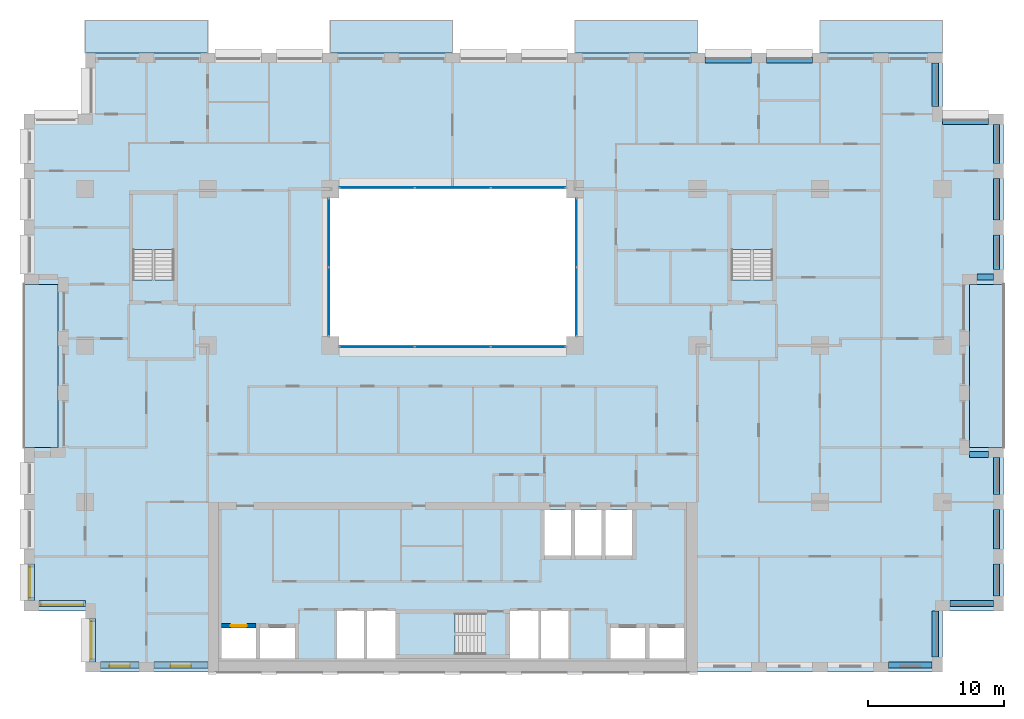
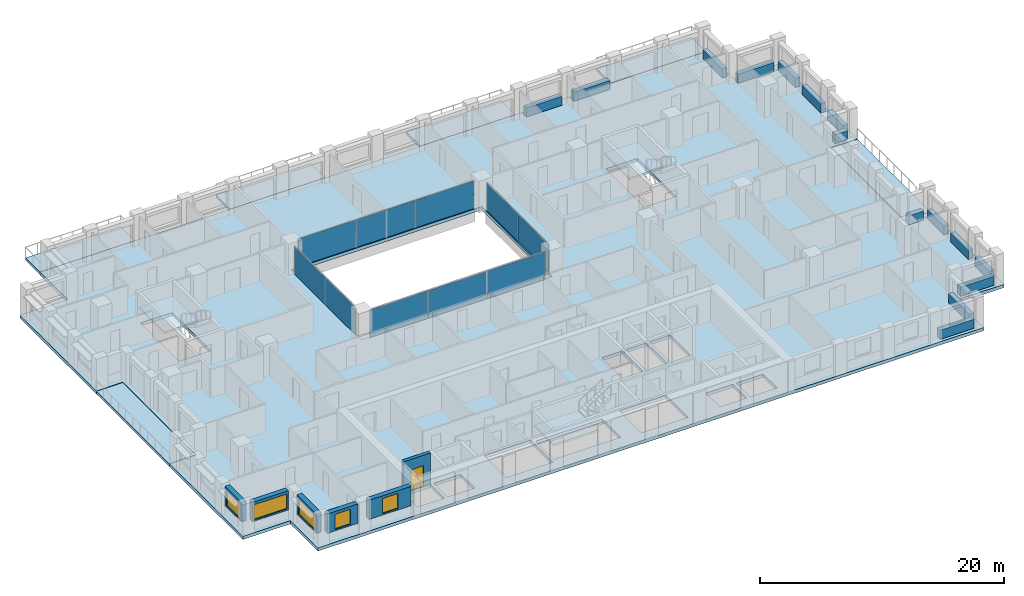
# One storey, part 7 of 16: 15 beams, 10 plates, 10 slabs, 6 walls, 5 windows, 1 door, 6 openings, 7 elements without a shape of their own.
"""IFC4 building model written with IfcOpenShell, lengths in metres."""

from ifc_helpers import new_model, si_unit, direction, frame, frame_2d, origin, origin_2d, place, context, subcontext, project, spatial, polyline, rectangle, outline, extrude, material, layer, layer_set, material_profile, profile_set, type_object, element, fill, aggregate, save


model = new_model("IFC4")

# Units and contexts
model_context = context("Model", 3, precision=1e-05, world=origin(), true_north=direction((0.0, 1.0)))
body_context = subcontext(model_context, "Body", "Model", "MODEL_VIEW")
ifc_project = project(units=[si_unit("LENGTHUNIT", "METRE"), si_unit("AREAUNIT", "SQUARE_METRE"), si_unit("VOLUMEUNIT", "CUBIC_METRE"), si_unit("PLANEANGLEUNIT", "RADIAN"), si_unit("MASSUNIT", "GRAM", prefix="KILO")], contexts=[model_context])

# Site, building, storey
site_placement = place(None, origin())
site = spatial("IfcSite", under=ifc_project, at=site_placement, CompositionType="ELEMENT")
building_placement = place(site_placement, origin())
building = spatial("IfcBuilding", under=site, at=building_placement, Name="Brigalow Station Residences", CompositionType="ELEMENT")
storey_placement = place(building_placement, frame((0.0, 0.0, 89.85009765625)))
storey = spatial("IfcBuildingStorey", under=building, at=storey_placement, Name="L25", CompositionType="ELEMENT", Elevation=89.85009765625)

# Beams
ifc_material_1 = material(Name="Concrete C65", Category="concrete")
ifc_material_profile = material_profile(ifc_material_1, rectangle(XDim=0.449951171875, YDim=0.89990234375, at=origin_2d()), Name="RC450x900")
ifc_profile_set = profile_set([ifc_material_profile], Name="Concrete C65")
beam_type = type_object("IfcBeamType", Name="SPANDREL BEAM 450x900 C65", PredefinedType="SPANDREL", material=ifc_profile_set)
beam_1_placement = place(storey_placement, frame((68.050048828125, 0.52490234375, 0.449951171875), z_axis=(1.0, 0.0, 0.0), x_axis=(0.0, 1.0, 0.0)))
element("IfcBeam", 1, at=beam_1_placement, inside=storey, type_object=beam_type, Name="L25/spandrel/W-L25-7", PredefinedType="SPANDREL", context=body_context, shape_type="SweptSolid", body=[
    extrude(rectangle(XDim=0.449951171875, YDim=0.89990234375, at=origin_2d()), origin(), (0.0, 0.0, 1.0), 3.199951171875),
])
beam_2_placement = place(storey_placement, frame((71.47509765625, 1.10009765625, 0.449951171875), z_axis=(0.0, 1.0, 0.0), x_axis=(-1.0, 0.0, 0.0)))
element("IfcBeam", 2, at=beam_2_placement, inside=storey, type_object=beam_type, Name="L25/spandrel/W-L25-8", PredefinedType="SPANDREL", context=body_context, shape_type="SweptSolid", body=[
    extrude(rectangle(XDim=0.449951171875, YDim=0.89990234375, at=origin_2d()), origin(), (0.0, 0.0, 1.0), 3.39990234375),
])
beam_3_placement = place(storey_placement, frame((72.550048828125, 5.02490234375, 0.449951171875), z_axis=(1.0, 0.0, 0.0), x_axis=(0.0, 1.0, 0.0)))
element("IfcBeam", 3, at=beam_3_placement, inside=storey, type_object=beam_type, Name="L25/spandrel/W-L25-9", PredefinedType="SPANDREL", context=body_context, shape_type="SweptSolid", body=[
    extrude(rectangle(XDim=0.449951171875, YDim=0.89990234375, at=origin_2d()), origin(), (0.0, 0.0, 1.0), 3.199951171875),
])
beam_4_placement = place(storey_placement, frame((75.97509765625, 5.60009765625, 0.449951171875), z_axis=(0.0, 1.0, 0.0), x_axis=(-1.0, 0.0, 0.0)))
element("IfcBeam", 4, at=beam_4_placement, inside=storey, type_object=beam_type, Name="L25/spandrel/W-L25-10", PredefinedType="SPANDREL", context=body_context, shape_type="SweptSolid", body=[
    extrude(rectangle(XDim=0.449951171875, YDim=0.89990234375, at=origin_2d()), origin(), (0.0, 0.0, 1.0), 2.349853515625),
])
beam_5_placement = place(storey_placement, frame((75.97509765625, 9.050048828125, 0.449951171875), z_axis=(0.0, 1.0, 0.0), x_axis=(-1.0, 0.0, 0.0)))
element("IfcBeam", 5, at=beam_5_placement, inside=storey, type_object=beam_type, Name="L25/spandrel/W-L25-11", PredefinedType="SPANDREL", context=body_context, shape_type="SweptSolid", body=[
    extrude(rectangle(XDim=0.449951171875, YDim=0.89990234375, at=origin_2d()), origin(), (0.0, 0.0, 1.0), 2.89990234375),
])
beam_6_placement = place(storey_placement, frame((75.97509765625, 13.050048828125, 0.449951171875), z_axis=(0.0, 1.0, 0.0), x_axis=(-1.0, 0.0, 0.0)))
element("IfcBeam", 6, at=beam_6_placement, inside=storey, type_object=beam_type, Name="L25/spandrel/W-L25-12", PredefinedType="SPANDREL", context=body_context, shape_type="SweptSolid", body=[
    extrude(rectangle(XDim=0.449951171875, YDim=0.89990234375, at=origin_2d()), origin(), (0.0, 0.0, 1.0), 2.699951171875),
])
beam_7_placement = place(storey_placement, frame((75.39990234375, 15.97509765625, 0.449951171875), z_axis=(-1.0, 0.0, 0.0), x_axis=(0.0, -1.0, 0.0)))
element("IfcBeam", 7, at=beam_7_placement, inside=storey, type_object=beam_type, Name="L25/spandrel/W-L25-13", PredefinedType="SPANDREL", context=body_context, shape_type="SweptSolid", body=[
    extrude(rectangle(XDim=0.449951171875, YDim=0.89990234375, at=origin_2d()), origin(), (0.0, 0.0, 1.0), 1.39990234375),
])
beam_8_placement = place(storey_placement, frame((74.550048828125, 29.02490234375, 0.449951171875), z_axis=(1.0, 0.0, 0.0), x_axis=(0.0, 1.0, 0.0)))
element("IfcBeam", 8, at=beam_8_placement, inside=storey, type_object=beam_type, Name="L25/spandrel/W-L25-17", PredefinedType="SPANDREL", context=body_context, shape_type="SweptSolid", body=[
    extrude(rectangle(XDim=0.449951171875, YDim=0.89990234375, at=origin_2d()), origin(), (0.0, 0.0, 1.0), 1.199951171875),
])
beam_9_placement = place(storey_placement, frame((75.97509765625, 29.60009765625, 0.449951171875), z_axis=(0.0, 1.0, 0.0), x_axis=(-1.0, 0.0, 0.0)))
element("IfcBeam", 9, at=beam_9_placement, inside=storey, type_object=beam_type, Name="L25/spandrel/W-L25-18", PredefinedType="SPANDREL", context=body_context, shape_type="SweptSolid", body=[
    extrude(rectangle(XDim=0.449951171875, YDim=0.89990234375, at=origin_2d()), origin(), (0.0, 0.0, 1.0), 2.516845703125),
])
beam_10_placement = place(storey_placement, frame((75.97509765625, 33.217041015625, 0.449951171875), z_axis=(0.0, 1.0, 0.0), x_axis=(-1.0, 0.0, 0.0)))
element("IfcBeam", 10, at=beam_10_placement, inside=storey, type_object=beam_type, Name="L25/spandrel/W-L25-19", PredefinedType="SPANDREL", context=body_context, shape_type="SweptSolid", body=[
    extrude(rectangle(XDim=0.449951171875, YDim=0.89990234375, at=origin_2d()), origin(), (0.0, 0.0, 1.0), 3.06591796875),
])
beam_11_placement = place(storey_placement, frame((75.97509765625, 37.383056640625, 0.449951171875), z_axis=(0.0, 1.0, 0.0), x_axis=(-1.0, 0.0, 0.0)))
element("IfcBeam", 11, at=beam_11_placement, inside=storey, type_object=beam_type, Name="L25/spandrel/W-L25-20", PredefinedType="SPANDREL", context=body_context, shape_type="SweptSolid", body=[
    extrude(rectangle(XDim=0.449951171875, YDim=0.89990234375, at=origin_2d()), origin(), (0.0, 0.0, 1.0), 2.866943359375),
])
beam_12_placement = place(storey_placement, frame((75.39990234375, 40.47509765625, 0.449951171875), z_axis=(-1.0, 0.0, 0.0), x_axis=(0.0, -1.0, 0.0)))
element("IfcBeam", 12, at=beam_12_placement, inside=storey, type_object=beam_type, Name="L25/spandrel/W-L25-21", PredefinedType="SPANDREL", context=body_context, shape_type="SweptSolid", body=[
    extrude(rectangle(XDim=0.449951171875, YDim=0.89990234375, at=origin_2d()), origin(), (0.0, 0.0, 1.0), 3.39990234375),
])
beam_13_placement = place(storey_placement, frame((71.47509765625, 41.550048828125, 0.449951171875), z_axis=(0.0, 1.0, 0.0), x_axis=(-1.0, 0.0, 0.0)))
element("IfcBeam", 13, at=beam_13_placement, inside=storey, type_object=beam_type, Name="L25/spandrel/W-L25-22", PredefinedType="SPANDREL", context=body_context, shape_type="SweptSolid", body=[
    extrude(rectangle(XDim=0.449951171875, YDim=0.89990234375, at=origin_2d()), origin(), (0.0, 0.0, 1.0), 3.199951171875),
])
for number, where, z_axis, x_axis, name in (
    (14, (62.449951171875, 44.97509765625, 0.449951171875), (-1.0, 0.0, 0.0), (0.0, -1.0, 0.0), "L25/spandrel/W-L25-25"),
    (15, (57.949951171875, 44.97509765625, 0.449951171875), (-1.0, 0.0, 0.0), (0.0, -1.0, 0.0), "L25/spandrel/W-L25-26"),
):
    element("IfcBeam", number, at=place(storey_placement, frame(where, z_axis=z_axis, x_axis=x_axis)), inside=storey, type_object=beam_type, Name=name, PredefinedType="SPANDREL", context=body_context, shape_type="SweptSolid", body=[
        extrude(rectangle(XDim=0.449951171875, YDim=0.89990234375, at=origin_2d()), origin(), (0.0, 0.0, 1.0), 3.39990234375),
    ])

# Curtain wall, plates
ifc_material_2 = material(Name="Aluminium", Category="aluminium")
ifc_layer_1 = layer(ifc_material_2, 0.14990234375)
ifc_layer_set_1 = layer_set([ifc_layer_1], Name="ATRIUM FIRE-RATED GLAZING CURTAIN WALL")
curtain_wall_type = type_object("IfcCurtainWallType", Name="ATRIUM FIRE-RATED GLAZING CURTAIN WALL", PredefinedType="NOTDEFINED", material=ifc_layer_set_1)
curtain_wall_1_placement = place(storey_placement, origin())
curtain_wall_1 = element("IfcCurtainWall", 16, at=curtain_wall_1_placement, inside=storey, type_object=curtain_wall_type, Name="L25/cw/atrium-S", PredefinedType="NOTDEFINED")
ifc_material_3 = material(Name="Fire-resisting laminated glazing, FRL -/60/-", Category="glass")
ifc_layer_2 = layer(ifc_material_3, 0.031982421875)
ifc_layer_set_2 = layer_set([ifc_layer_2], Name="ATRIUM FIRE-RATED GLAZING PANEL 32")
plate_type = type_object("IfcPlateType", Name="ATRIUM FIRE-RATED GLAZING PANEL 32", PredefinedType="CURTAIN_PANEL", material=ifc_layer_set_2)
plate_1_placement = place(storey_placement, frame((30.4482421875, 23.89990234375, 0.0), z_axis=(0.0, 0.0, 1.0), x_axis=(1.0, 0.0, 0.0)))
plate_1 = element("IfcPlate", 17, at=plate_1_placement, type_object=plate_type, Name="L25/cw/atrium-S/P00-00", PredefinedType="CURTAIN_PANEL", context=body_context, shape_type="SweptSolid", body=[
    extrude(rectangle(XDim=5.476806640625, YDim=0.031982421875, at=origin_2d()), origin(), (0.0, 0.0, 1.0), 2.77001953125),
])
plate_2_placement = place(storey_placement, frame((36.0, 23.89990234375, 0.0), z_axis=(0.0, 0.0, 1.0), x_axis=(1.0, 0.0, 0.0)))
plate_2 = element("IfcPlate", 18, at=plate_2_placement, type_object=plate_type, Name="L25/cw/atrium-S/P01-00", PredefinedType="CURTAIN_PANEL", context=body_context, shape_type="SweptSolid", body=[
    extrude(rectangle(XDim=5.506591796875, YDim=0.031982421875, at=origin_2d()), origin(), (0.0, 0.0, 1.0), 2.77001953125),
])
plate_3_placement = place(storey_placement, frame((41.5517578125, 23.89990234375, 0.0), z_axis=(0.0, 0.0, 1.0), x_axis=(1.0, 0.0, 0.0)))
plate_3 = element("IfcPlate", 19, at=plate_3_placement, type_object=plate_type, Name="L25/cw/atrium-S/P02-00", PredefinedType="CURTAIN_PANEL", context=body_context, shape_type="SweptSolid", body=[
    extrude(rectangle(XDim=5.476806640625, YDim=0.031982421875, at=origin_2d()), origin(), (0.0, 0.0, 1.0), 2.77001953125),
])
aggregate(curtain_wall_1, [plate_1, plate_2, plate_3])

curtain_wall_2_placement = place(storey_placement, origin())
curtain_wall_2 = element("IfcCurtainWall", 20, at=curtain_wall_2_placement, inside=storey, type_object=curtain_wall_type, Name="L25/cw/atrium-E", PredefinedType="NOTDEFINED")
plate_4_placement = place(storey_placement, frame((45.10009765625, 27.215087890625, 0.0), z_axis=(0.0, 0.0, 1.0), x_axis=(0.0, 1.0, 0.0)))
plate_4 = element("IfcPlate", 21, at=plate_4_placement, type_object=plate_type, Name="L25/cw/atrium-E/P00-00", PredefinedType="CURTAIN_PANEL", context=body_context, shape_type="SweptSolid", body=[
    extrude(rectangle(XDim=5.010009765625, YDim=0.031982421875, at=origin_2d()), origin(), (0.0, 0.0, 1.0), 2.77001953125),
])
plate_5_placement = place(storey_placement, frame((45.10009765625, 32.284912109375, 0.0), z_axis=(0.0, 0.0, 1.0), x_axis=(0.0, 1.0, 0.0)))
plate_5 = element("IfcPlate", 22, at=plate_5_placement, type_object=plate_type, Name="L25/cw/atrium-E/P01-00", PredefinedType="CURTAIN_PANEL", context=body_context, shape_type="SweptSolid", body=[
    extrude(rectangle(XDim=5.010009765625, YDim=0.031982421875, at=origin_2d()), origin(), (0.0, 0.0, 1.0), 2.77001953125),
])
aggregate(curtain_wall_2, [plate_4, plate_5])

curtain_wall_3_placement = place(storey_placement, origin())
curtain_wall_3 = element("IfcCurtainWall", 23, at=curtain_wall_3_placement, inside=storey, type_object=curtain_wall_type, Name="L25/cw/atrium-N", PredefinedType="NOTDEFINED")
plate_6_placement = place(storey_placement, frame((41.5517578125, 35.60009765625, 0.0), z_axis=(0.0, 0.0, 1.0), x_axis=(-1.0, 0.0, 0.0)))
plate_6 = element("IfcPlate", 24, at=plate_6_placement, type_object=plate_type, Name="L25/cw/atrium-N/P00-00", PredefinedType="CURTAIN_PANEL", context=body_context, shape_type="SweptSolid", body=[
    extrude(rectangle(XDim=5.476806640625, YDim=0.031982421875, at=origin_2d()), origin(), (0.0, 0.0, 1.0), 2.77001953125),
])
plate_7_placement = place(storey_placement, frame((36.0, 35.60009765625, 0.0), z_axis=(0.0, 0.0, 1.0), x_axis=(-1.0, 0.0, 0.0)))
plate_7 = element("IfcPlate", 25, at=plate_7_placement, type_object=plate_type, Name="L25/cw/atrium-N/P01-00", PredefinedType="CURTAIN_PANEL", context=body_context, shape_type="SweptSolid", body=[
    extrude(rectangle(XDim=5.506591796875, YDim=0.031982421875, at=origin_2d()), origin(), (0.0, 0.0, 1.0), 2.77001953125),
])
plate_8_placement = place(storey_placement, frame((30.4482421875, 35.60009765625, 0.0), z_axis=(0.0, 0.0, 1.0), x_axis=(-1.0, 0.0, 0.0)))
plate_8 = element("IfcPlate", 26, at=plate_8_placement, type_object=plate_type, Name="L25/cw/atrium-N/P02-00", PredefinedType="CURTAIN_PANEL", context=body_context, shape_type="SweptSolid", body=[
    extrude(rectangle(XDim=5.476806640625, YDim=0.031982421875, at=origin_2d()), origin(), (0.0, 0.0, 1.0), 2.77001953125),
])
aggregate(curtain_wall_3, [plate_6, plate_7, plate_8])

curtain_wall_4_placement = place(storey_placement, origin())
curtain_wall_4 = element("IfcCurtainWall", 27, at=curtain_wall_4_placement, inside=storey, type_object=curtain_wall_type, Name="L25/cw/atrium-W", PredefinedType="NOTDEFINED")
plate_9_placement = place(storey_placement, frame((26.89990234375, 32.284912109375, 0.0), z_axis=(0.0, 0.0, 1.0), x_axis=(0.0, -1.0, 0.0)))
plate_9 = element("IfcPlate", 28, at=plate_9_placement, type_object=plate_type, Name="L25/cw/atrium-W/P00-00", PredefinedType="CURTAIN_PANEL", context=body_context, shape_type="SweptSolid", body=[
    extrude(rectangle(XDim=5.010009765625, YDim=0.031982421875, at=origin_2d()), origin(), (0.0, 0.0, 1.0), 2.77001953125),
])
plate_10_placement = place(storey_placement, frame((26.89990234375, 27.215087890625, 0.0), z_axis=(0.0, 0.0, 1.0), x_axis=(0.0, -1.0, 0.0)))
plate_10 = element("IfcPlate", 29, at=plate_10_placement, type_object=plate_type, Name="L25/cw/atrium-W/P01-00", PredefinedType="CURTAIN_PANEL", context=body_context, shape_type="SweptSolid", body=[
    extrude(rectangle(XDim=5.010009765625, YDim=0.031982421875, at=origin_2d()), origin(), (0.0, 0.0, 1.0), 2.77001953125),
])
aggregate(curtain_wall_4, [plate_9, plate_10])

# Slabs
ifc_material_4 = material(Name="Concrete C50 precast", Category="concrete")
ifc_layer_3 = layer(ifc_material_4, 0.25)
ifc_layer_set_3 = layer_set([ifc_layer_3], Name="BALCONY SLAB 250")
slab_type_1 = type_object("IfcSlabType", Name="BALCONY SLAB 250", PredefinedType="USERDEFINED", material=ifc_layer_set_3)
slab_1_placement = place(storey_placement, frame((0.0, 0.0, -0.2900390625)))
element("IfcSlab", 30, at=slab_1_placement, inside=storey, type_object=slab_type_1, Name="L25/balcony/1", ObjectType="BALCONY", PredefinedType="USERDEFINED", context=body_context, shape_type="SweptSolid", body=[
    extrude(outline(polyline([(74.0, 16.5), (76.5, 16.5), (76.5, 28.5), (74.0, 28.5), (74.0, 16.5)])), origin(), (0.0, 0.0, 1.0), 0.25),
])
slab_2_placement = place(storey_placement, frame((0.0, 0.0, -0.2900390625)))
element("IfcSlab", 31, at=slab_2_placement, inside=storey, type_object=slab_type_1, Name="L25/balcony/2", ObjectType="BALCONY", PredefinedType="USERDEFINED", context=body_context, shape_type="SweptSolid", body=[
    extrude(outline(polyline([(72.0, 45.5), (72.0, 47.89990234375), (63.0, 47.89990234375), (63.0, 45.5), (72.0, 45.5)])), origin(), (0.0, 0.0, 1.0), 0.25),
])
slab_3_placement = place(storey_placement, frame((0.0, 0.0, -0.2900390625)))
element("IfcSlab", 32, at=slab_3_placement, inside=storey, type_object=slab_type_1, Name="L25/balcony/3", ObjectType="BALCONY", PredefinedType="USERDEFINED", context=body_context, shape_type="SweptSolid", body=[
    extrude(outline(polyline([(54.0, 45.5), (54.0, 47.89990234375), (45.0, 47.89990234375), (45.0, 45.5), (54.0, 45.5)])), origin(), (0.0, 0.0, 1.0), 0.25),
])
slab_4_placement = place(storey_placement, frame((0.0, 0.0, -0.2900390625)))
element("IfcSlab", 33, at=slab_4_placement, inside=storey, type_object=slab_type_1, Name="L25/balcony/4", ObjectType="BALCONY", PredefinedType="USERDEFINED", context=body_context, shape_type="SweptSolid", body=[
    extrude(outline(polyline([(36.0, 45.5), (36.0, 47.89990234375), (27.0, 47.89990234375), (27.0, 45.5), (36.0, 45.5)])), origin(), (0.0, 0.0, 1.0), 0.25),
])
slab_5_placement = place(storey_placement, frame((0.0, 0.0, -0.2900390625)))
element("IfcSlab", 34, at=slab_5_placement, inside=storey, type_object=slab_type_1, Name="L25/balcony/5", ObjectType="BALCONY", PredefinedType="USERDEFINED", context=body_context, shape_type="SweptSolid", body=[
    extrude(outline(polyline([(18.0, 45.5), (18.0, 47.89990234375), (9.0, 47.89990234375), (9.0, 45.5), (18.0, 45.5)])), origin(), (0.0, 0.0, 1.0), 0.25),
])
slab_6_placement = place(storey_placement, frame((0.0, 0.0, -0.2900390625)))
element("IfcSlab", 35, at=slab_6_placement, inside=storey, type_object=slab_type_1, Name="L25/balcony/6", ObjectType="BALCONY", PredefinedType="USERDEFINED", context=body_context, shape_type="SweptSolid", body=[
    extrude(outline(polyline([(7.0, 28.5), (4.5, 28.5), (4.5, 16.5), (7.0, 16.5), (7.0, 28.5)])), origin(), (0.0, 0.0, 1.0), 0.25),
])
ifc_material_5 = material(Name="Concrete C50", Category="concrete")
ifc_layer_4 = layer(ifc_material_5, 0.320068359375)
ifc_layer_set_4 = layer_set([ifc_layer_4], Name="POST-TENSIONED FLAT PLATE 320 C50")
slab_type_2 = type_object("IfcSlabType", Name="POST-TENSIONED FLAT PLATE 320 C50", PredefinedType="FLOOR", material=ifc_layer_set_4)
slab_7_placement = place(storey_placement, frame((0.0, 0.0, -0.320068359375)))
element("IfcSlab", 36, at=slab_7_placement, inside=storey, type_object=slab_type_2, Name="FLOOR SLAB L25", PredefinedType="FLOOR", context=body_context, shape_type="SweptSolid", body=[
    extrude(outline(polyline([(9.0, 0.0), (72.0, 0.0), (72.0, 4.5), (76.5, 4.5), (76.5, 16.5), (74.0, 16.5), (74.0, 28.5), (76.5, 28.5), (76.5, 41.0), (72.0, 41.0), (72.0, 45.5), (9.0, 45.5), (9.0, 41.0), (4.5, 41.0), (4.5, 28.5), (7.0, 28.5), (7.0, 16.5), (4.5, 16.5), (4.5, 4.5), (9.0, 4.5), (9.0, 0.0)]), holes=[polyline([(12.5048828125, 35.094970703125), (15.4951171875, 35.094970703125), (15.4951171875, 28.804931640625), (12.5048828125, 28.804931640625), (12.5048828125, 35.094970703125)]), polyline([(19.0, 1.0), (19.0, 3.25), (21.550048828125, 3.25), (21.550048828125, 1.0), (19.0, 1.0)]), polyline([(21.85009765625, 3.25), (24.39990234375, 3.25), (24.39990234375, 1.0), (21.85009765625, 1.0), (21.85009765625, 3.25)]), polyline([(27.0, 35.5), (45.0, 35.5), (45.0, 24.0), (27.0, 24.0), (27.0, 35.5)]), polyline([(29.60009765625, 4.60009765625), (31.800048828125, 4.60009765625), (31.800048828125, 1.0), (29.60009765625, 1.0), (27.39990234375, 1.0), (27.39990234375, 4.60009765625), (29.60009765625, 4.60009765625)]), polyline([(32.10498046875, 4.294921875), (38.39501953125, 4.294921875), (38.39501953125, 1.304931640625), (32.10498046875, 1.304931640625), (32.10498046875, 4.294921875)]), polyline([(40.199951171875, 4.60009765625), (42.39990234375, 4.60009765625), (44.60009765625, 4.60009765625), (44.60009765625, 1.0), (42.39990234375, 1.0), (40.199951171875, 1.0), (40.199951171875, 4.60009765625)]), polyline([(42.75, 11.89990234375), (44.699951171875, 11.89990234375), (44.699951171875, 8.550048828125), (42.75, 8.550048828125), (42.75, 11.89990234375)]), polyline([(45.0, 11.89990234375), (46.949951171875, 11.89990234375), (46.949951171875, 8.550048828125), (45.0, 8.550048828125), (45.0, 11.89990234375)]), polyline([(47.25, 11.89990234375), (49.199951171875, 11.89990234375), (49.199951171875, 8.550048828125), (47.25, 8.550048828125), (47.25, 11.89990234375)]), polyline([(47.60009765625, 3.25), (50.14990234375, 3.25), (50.14990234375, 1.0), (47.60009765625, 1.0), (47.60009765625, 3.25)]), polyline([(50.449951171875, 3.25), (53.0, 3.25), (53.0, 1.0), (50.449951171875, 1.0), (50.449951171875, 3.25)]), polyline([(56.5048828125, 35.094970703125), (59.4951171875, 35.094970703125), (59.4951171875, 28.804931640625), (56.5048828125, 28.804931640625), (56.5048828125, 35.094970703125)])]), origin(), (0.0, 0.0, 1.0), 0.320068359375),
])

# Stair, slab
ifc_material_6 = material(Name="Concrete C50", Category="concrete")
stair_type = type_object("IfcStairType", Name="EXIT STAIR 1400 2 FLIGHT", PredefinedType="HALF_TURN_STAIR", material=ifc_material_6)
stair_1_placement = place(storey_placement, origin())
stair_1 = element("IfcStair", 37, at=stair_1_placement, inside=storey, type_object=stair_type, Name="EXIT STAIR S2 L25", PredefinedType="HALF_TURN_STAIR")
ifc_material_7 = material(Name="Concrete C50", Category="concrete")
ifc_layer_5 = layer(ifc_material_7, 0.199951171875)
ifc_layer_set_5 = layer_set([ifc_layer_5], Name="STAIR LANDING 200")
slab_type_3 = type_object("IfcSlabType", Name="STAIR LANDING 200", PredefinedType="LANDING", material=ifc_layer_set_5)
slab_8_placement = place(storey_placement, frame((0.0, 0.0, 1.375)))
slab_8 = element("IfcSlab", 38, at=slab_8_placement, type_object=slab_type_3, Name="ST-2 landing 1", PredefinedType="LANDING", context=body_context, shape_type="SweptSolid", body=[
    extrude(outline(polyline([(32.0, 1.199951171875), (36.159912109375, 1.199951171875), (36.159912109375, 4.39990234375), (32.0, 4.39990234375), (32.0, 1.199951171875)])), origin(), (0.0, 0.0, 1.0), 0.199951171875),
])
aggregate(stair_1, [slab_8])

stair_2_placement = place(storey_placement, origin())
stair_2 = element("IfcStair", 39, at=stair_2_placement, inside=storey, type_object=stair_type, Name="EXIT STAIR S1 L25", PredefinedType="HALF_TURN_STAIR")
slab_9_placement = place(storey_placement, frame((0.0, 0.0, 1.375)))
slab_9 = element("IfcSlab", 40, at=slab_9_placement, type_object=slab_type_3, Name="ST-1 landing 1", PredefinedType="LANDING", context=body_context, shape_type="SweptSolid", body=[
    extrude(outline(polyline([(12.39990234375, 31.0400390625), (15.60009765625, 31.0400390625), (15.60009765625, 35.199951171875), (12.39990234375, 35.199951171875), (12.39990234375, 31.0400390625)])), origin(), (0.0, 0.0, 1.0), 0.199951171875),
])
aggregate(stair_2, [slab_9])

stair_3_placement = place(storey_placement, origin())
stair_3 = element("IfcStair", 41, at=stair_3_placement, inside=storey, type_object=stair_type, Name="EXIT STAIR S3 L25", PredefinedType="HALF_TURN_STAIR")
slab_10_placement = place(storey_placement, frame((0.0, 0.0, 1.375)))
slab_10 = element("IfcSlab", 42, at=slab_10_placement, type_object=slab_type_3, Name="ST-3 landing 1", PredefinedType="LANDING", context=body_context, shape_type="SweptSolid", body=[
    extrude(outline(polyline([(56.39990234375, 31.0400390625), (59.60009765625, 31.0400390625), (59.60009765625, 35.199951171875), (56.39990234375, 35.199951171875), (56.39990234375, 31.0400390625)])), origin(), (0.0, 0.0, 1.0), 0.199951171875),
])
aggregate(stair_3, [slab_10])

# Wall, opening, window
ifc_material_8 = material(Name="Clay brick masonry", Category="masonry")
ifc_layer_6 = layer(ifc_material_8, 0.449951171875)
ifc_layer_set_6 = layer_set([ifc_layer_6], Name="BRICK INFILL WALL 450")
wall_type_1 = type_object("IfcWallType", Name="BRICK INFILL WALL 450", PredefinedType="SOLIDWALL", material=ifc_layer_set_6)
wall_1_placement = place(storey_placement, frame((10.10009765625, 0.52490234375, 0.89990234375), z_axis=(0.0, 0.0, 1.0), x_axis=(1.0, 0.0, 0.0)))
wall_1 = element("IfcWall", 43, at=wall_1_placement, inside=storey, type_object=wall_type_1, Name="L25/ewall/W-L25-1", PredefinedType="SOLIDWALL", context=body_context, shape_type="SweptSolid", body=[
    extrude(rectangle(XDim=2.849853515625, YDim=0.449951171875, at=frame_2d((1.4248046875, 0.0))), origin(), (0.0, 0.0, 1.0), 1.929931640625),
])
opening_1_placement = place(wall_1_placement, frame((0.675048828125, 0.0, 0.14990234375)))
opening_1 = element("IfcOpeningElement", 44, at=opening_1_placement, cuts=wall_1, Name="Opening WT-1", PredefinedType="OPENING", context=body_context, shape_type="SweptSolid", body=[
    extrude(rectangle(XDim=1.5, YDim=1.5, at=frame_2d((0.75, 0.75))), frame((0.0, 0.23486328125, 0.0), z_axis=(0.0, -1.0, 0.0), x_axis=(1.0, 0.0, 0.0)), (0.0, 0.0, 1.0), 0.469970703125),
])
ifc_material_9 = material(Name="Anodised aluminium frame with double glazing", Category="aluminium")
window_type_1 = type_object("IfcWindowType", Name="WINDOW 1500x1500", PartitioningType="SINGLE_PANEL", PredefinedType="WINDOW", material=ifc_material_9)
window_1_placement = place(opening_1_placement, origin())
window_1 = element("IfcWindow", 45, at=window_1_placement, inside=storey, type_object=window_type_1, Name="L25/window/W-L25-1", OverallHeight=1.5, OverallWidth=1.5, PartitioningType="SINGLE_PANEL", PredefinedType="WINDOW", context=body_context, shape_type="SweptSolid", body=[
    extrude(rectangle(XDim=1.5, YDim=1.5, at=frame_2d((0.75, 0.75))), frame((0.0, -0.06494140625, 0.0), z_axis=(0.0, -1.0, 0.0), x_axis=(1.0, 0.0, 0.0)), (0.0, 0.0, 1.0), 0.06005859375),
])
fill(opening_1, window_1)

wall_2_placement = place(storey_placement, frame((14.050048828125, 0.52490234375, 0.89990234375), z_axis=(0.0, 0.0, 1.0), x_axis=(1.0, 0.0, 0.0)))
wall_2 = element("IfcWall", 46, at=wall_2_placement, inside=storey, type_object=wall_type_1, Name="L25/ewall/W-L25-2", PredefinedType="SOLIDWALL", context=body_context, shape_type="SweptSolid", body=[
    extrude(rectangle(XDim=3.949951171875, YDim=0.449951171875, at=frame_2d((1.97509765625, 0.0))), origin(), (0.0, 0.0, 1.0), 1.929931640625),
])
opening_2_placement = place(wall_2_placement, frame((1.22509765625, 0.0, 0.14990234375)))
opening_2 = element("IfcOpeningElement", 47, at=opening_2_placement, cuts=wall_2, Name="Opening WT-1", PredefinedType="OPENING", context=body_context, shape_type="SweptSolid", body=[
    extrude(rectangle(XDim=1.5, YDim=1.5, at=frame_2d((0.75, 0.75))), frame((0.0, 0.23486328125, 0.0), z_axis=(0.0, -1.0, 0.0), x_axis=(1.0, 0.0, 0.0)), (0.0, 0.0, 1.0), 0.469970703125),
])
window_2_placement = place(opening_2_placement, origin())
window_2 = element("IfcWindow", 48, at=window_2_placement, inside=storey, type_object=window_type_1, Name="L25/window/W-L25-2", OverallHeight=1.5, OverallWidth=1.5, PartitioningType="SINGLE_PANEL", PredefinedType="WINDOW", context=body_context, shape_type="SweptSolid", body=[
    extrude(rectangle(XDim=1.5, YDim=1.5, at=frame_2d((0.75, 0.75))), frame((0.0, -0.06494140625, 0.0), z_axis=(0.0, -1.0, 0.0), x_axis=(1.0, 0.0, 0.0)), (0.0, 0.0, 1.0), 0.06005859375),
])
fill(opening_2, window_2)

wall_3_placement = place(storey_placement, frame((5.02490234375, 7.949951171875, 0.89990234375), z_axis=(0.0, 0.0, 1.0), x_axis=(0.0, -1.0, 0.0)))
wall_3 = element("IfcWall", 49, at=wall_3_placement, inside=storey, type_object=wall_type_1, Name="L25/ewall/W-L25-49", PredefinedType="SOLIDWALL", context=body_context, shape_type="SweptSolid", body=[
    extrude(rectangle(XDim=2.699951171875, YDim=0.449951171875, at=frame_2d((1.35009765625, 0.0))), origin(), (0.0, 0.0, 1.0), 1.929931640625),
])
opening_3_placement = place(wall_3_placement, frame((0.22509765625, 0.0, 0.14990234375)))
opening_3 = element("IfcOpeningElement", 50, at=opening_3_placement, cuts=wall_3, Name="Opening WT-6", PredefinedType="OPENING", context=body_context, shape_type="SweptSolid", body=[
    extrude(rectangle(XDim=2.25, YDim=1.5, at=frame_2d((1.125, 0.75))), frame((0.0, 0.23486328125, 0.0), z_axis=(0.0, -1.0, 0.0), x_axis=(1.0, 0.0, 0.0)), (0.0, 0.0, 1.0), 0.469970703125),
])
ifc_material_10 = material(Name="Anodised aluminium frame with double glazing", Category="aluminium")
window_type_2 = type_object("IfcWindowType", Name="WINDOW 2250x1500", PartitioningType="SINGLE_PANEL", PredefinedType="WINDOW", material=ifc_material_10)
window_3_placement = place(opening_3_placement, origin())
window_3 = element("IfcWindow", 51, at=window_3_placement, inside=storey, type_object=window_type_2, Name="L25/window/W-L25-49", OverallHeight=1.5, OverallWidth=2.25, PartitioningType="SINGLE_PANEL", PredefinedType="WINDOW", context=body_context, shape_type="SweptSolid", body=[
    extrude(rectangle(XDim=2.25, YDim=1.5, at=frame_2d((1.125, 0.75))), frame((0.0, -0.06494140625, 0.0), z_axis=(0.0, -1.0, 0.0), x_axis=(1.0, 0.0, 0.0)), (0.0, 0.0, 1.0), 0.06005859375),
])
fill(opening_3, window_3)

wall_4_placement = place(storey_placement, frame((5.60009765625, 5.02490234375, 0.89990234375), z_axis=(0.0, 0.0, 1.0), x_axis=(1.0, 0.0, 0.0)))
wall_4 = element("IfcWall", 52, at=wall_4_placement, inside=storey, type_object=wall_type_1, Name="L25/ewall/W-L25-50", PredefinedType="SOLIDWALL", context=body_context, shape_type="SweptSolid", body=[
    extrude(rectangle(XDim=3.39990234375, YDim=0.449951171875, at=frame_2d((1.699951171875, 0.0))), origin(), (0.0, 0.0, 1.0), 1.929931640625),
])
opening_4_placement = place(wall_4_placement, frame((0.14990234375, 0.0, 0.14990234375)))
opening_4 = element("IfcOpeningElement", 53, at=opening_4_placement, cuts=wall_4, Name="Opening WT-8", PredefinedType="OPENING", context=body_context, shape_type="SweptSolid", body=[
    extrude(rectangle(XDim=3.10009765625, YDim=1.5, at=frame_2d((1.550048828125, 0.75))), frame((0.0, 0.23486328125, 0.0), z_axis=(0.0, -1.0, 0.0), x_axis=(1.0, 0.0, 0.0)), (0.0, 0.0, 1.0), 0.469970703125),
])
ifc_material_11 = material(Name="Anodised aluminium frame with double glazing", Category="aluminium")
window_type_3 = type_object("IfcWindowType", Name="WINDOW 3100x1500", PartitioningType="SINGLE_PANEL", PredefinedType="WINDOW", material=ifc_material_11)
window_4_placement = place(opening_4_placement, origin())
window_4 = element("IfcWindow", 54, at=window_4_placement, inside=storey, type_object=window_type_3, Name="L25/window/W-L25-50", OverallHeight=1.5, OverallWidth=3.10009765625, PartitioningType="SINGLE_PANEL", PredefinedType="WINDOW", context=body_context, shape_type="SweptSolid", body=[
    extrude(rectangle(XDim=3.10009765625, YDim=1.5, at=frame_2d((1.550048828125, 0.75))), frame((0.0, -0.06494140625, 0.0), z_axis=(0.0, -1.0, 0.0), x_axis=(1.0, 0.0, 0.0)), (0.0, 0.0, 1.0), 0.06005859375),
])
fill(opening_4, window_4)

wall_5_placement = place(storey_placement, frame((9.52490234375, 3.949951171875, 0.89990234375), z_axis=(0.0, 0.0, 1.0), x_axis=(0.0, -1.0, 0.0)))
wall_5 = element("IfcWall", 55, at=wall_5_placement, inside=storey, type_object=wall_type_1, Name="L25/ewall/W-L25-51", PredefinedType="SOLIDWALL", context=body_context, shape_type="SweptSolid", body=[
    extrude(rectangle(XDim=3.199951171875, YDim=0.449951171875, at=frame_2d((1.60009765625, 0.0))), origin(), (0.0, 0.0, 1.0), 1.929931640625),
])
opening_5_placement = place(wall_5_placement, frame((0.22509765625, 0.0, 0.14990234375)))
opening_5 = element("IfcOpeningElement", 56, at=opening_5_placement, cuts=wall_5, Name="Opening WT-3", PredefinedType="OPENING", context=body_context, shape_type="SweptSolid", body=[
    extrude(rectangle(XDim=2.75, YDim=1.5, at=frame_2d((1.375, 0.75))), frame((0.0, 0.23486328125, 0.0), z_axis=(0.0, -1.0, 0.0), x_axis=(1.0, 0.0, 0.0)), (0.0, 0.0, 1.0), 0.469970703125),
])
ifc_material_12 = material(Name="Anodised aluminium frame with double glazing", Category="aluminium")
window_type_4 = type_object("IfcWindowType", Name="WINDOW 2750x1500", PartitioningType="SINGLE_PANEL", PredefinedType="WINDOW", material=ifc_material_12)
window_5_placement = place(opening_5_placement, origin())
window_5 = element("IfcWindow", 57, at=window_5_placement, inside=storey, type_object=window_type_4, Name="L25/window/W-L25-51", OverallHeight=1.5, OverallWidth=2.75, PartitioningType="SINGLE_PANEL", PredefinedType="WINDOW", context=body_context, shape_type="SweptSolid", body=[
    extrude(rectangle(XDim=2.75, YDim=1.5, at=frame_2d((1.375, 0.75))), frame((0.0, -0.06494140625, 0.0), z_axis=(0.0, -1.0, 0.0), x_axis=(1.0, 0.0, 0.0)), (0.0, 0.0, 1.0), 0.06005859375),
])
fill(opening_5, window_5)

# Wall, opening, door
ifc_material_13 = material(Name="Concrete C65", Category="concrete")
ifc_layer_7 = layer(ifc_material_13, 0.300048828125)
ifc_layer_set_7 = layer_set([ifc_layer_7], Name="CORE SHEAR WALL 300 C65")
wall_type_2 = type_object("IfcWallType", Name="CORE SHEAR WALL 300 C65", PredefinedType="SHEAR", material=ifc_layer_set_7)
wall_6_placement = place(storey_placement, frame((19.0, 3.39990234375, 0.0), z_axis=(0.0, 0.0, 1.0), x_axis=(1.0, 0.0, 0.0)))
wall_6 = element("IfcWall", 58, at=wall_6_placement, inside=storey, type_object=wall_type_2, Name="CORE WALL SH-C1-N L25", PredefinedType="SHEAR", context=body_context, shape_type="SweptSolid", body=[
    extrude(rectangle(XDim=2.550048828125, YDim=0.300048828125, at=frame_2d((1.27490234375, 0.0))), origin(), (0.0, 0.0, 1.0), 3.14990234375),
])
opening_6_placement = place(wall_6_placement, frame((0.675048828125, 0.0, 0.0)))
opening_6 = element("IfcOpeningElement", 59, at=opening_6_placement, cuts=wall_6, Name="Opening LD-LB1", PredefinedType="OPENING", context=body_context, shape_type="SweptSolid", body=[
    extrude(rectangle(XDim=1.199951171875, YDim=2.10009765625, at=frame_2d((0.60009765625, 1.050048828125))), frame((0.0, 0.16015625, 0.0), z_axis=(0.0, -1.0, 0.0), x_axis=(1.0, 0.0, 0.0)), (0.0, 0.0, 1.0), 0.320068359375),
])
ifc_material_14 = material(Name="Stainless steel sliding door leaves", Category="steel")
door_type = type_object("IfcDoorType", Name="LIFT LANDING DOOR 1200 x 2100", OperationType="DOUBLE_DOOR_SLIDING", PredefinedType="DOOR", material=ifc_material_14)
door_placement = place(opening_6_placement, origin())
door = element("IfcDoor", 60, at=door_placement, inside=storey, type_object=door_type, Name="LANDING DOOR LB1", OperationType="DOUBLE_DOOR_SLIDING", OverallHeight=2.10009765625, OverallWidth=1.199951171875, PredefinedType="DOOR", context=body_context, shape_type="SweptSolid", body=[
    extrude(rectangle(XDim=1.199951171875, YDim=2.10009765625, at=frame_2d((0.60009765625, 1.050048828125))), frame((0.0, 0.02490234375, 0.0), z_axis=(0.0, -1.0, 0.0), x_axis=(1.0, 0.0, 0.0)), (0.0, 0.0, 1.0), 0.050048828125),
])
fill(opening_6, door)

save(model, "model.ifc")
